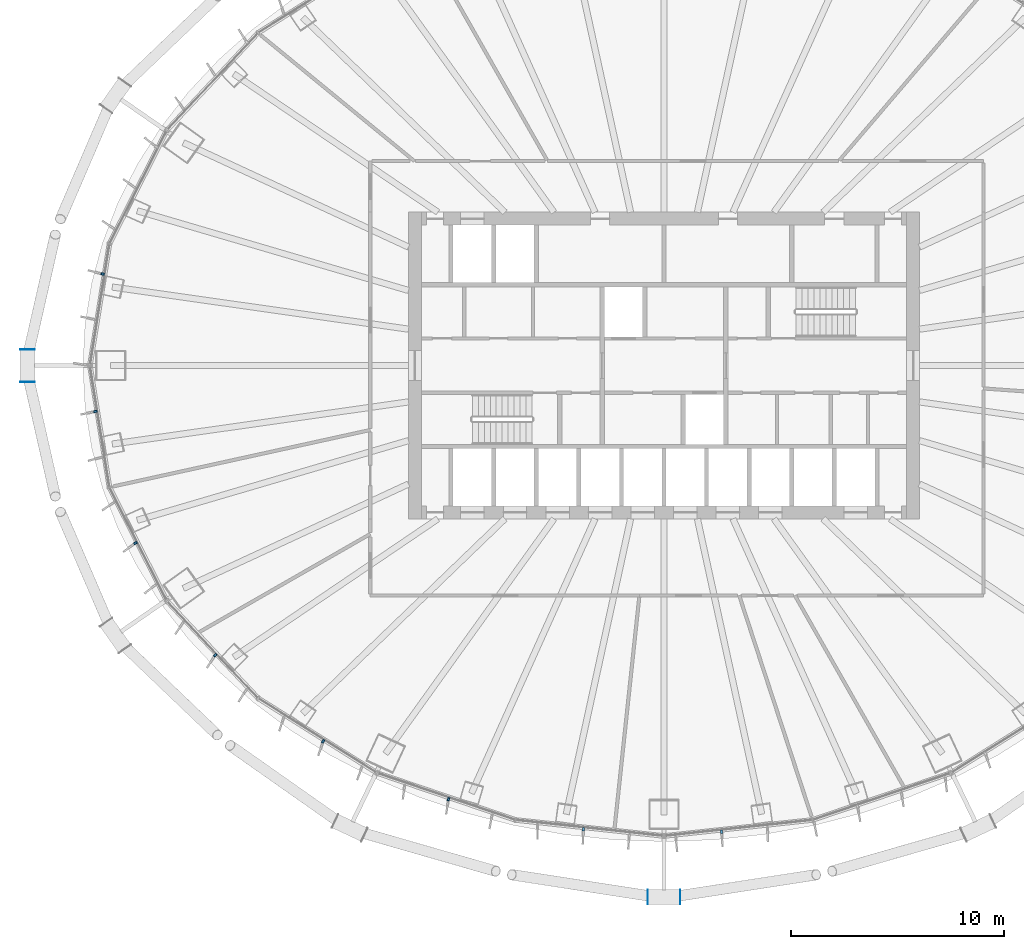
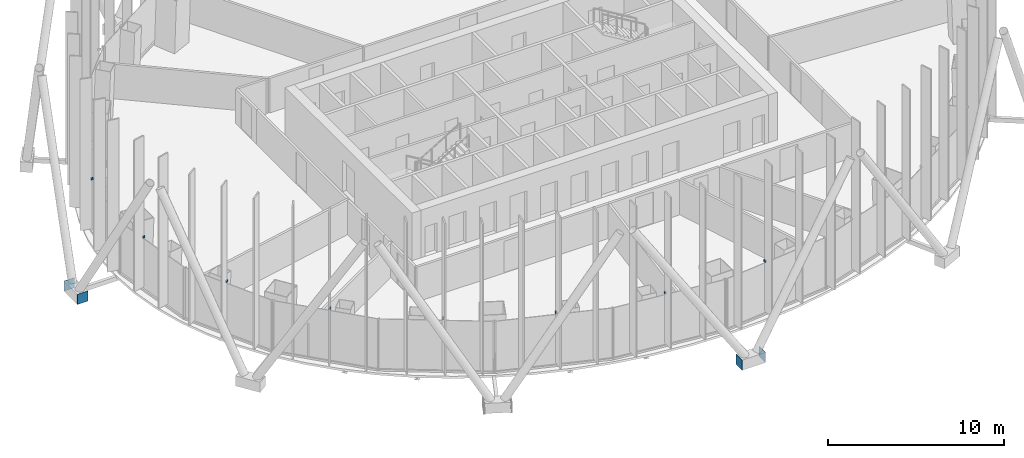
# One storey, part 14 of 21: 12 discrete accessories.
"""IFC4 building model written with IfcOpenShell, lengths in metres."""

from ifc_helpers import new_model, si_unit, direction, frame, origin, origin_2d, place, context, subcontext, project, spatial, rectangle, extrude, material, layer, layer_set, type_object, element, save


model = new_model("IFC4")

# Units and contexts
model_context = context("Model", 3, precision=1e-05, world=origin(), true_north=direction((0.0, 1.0)))
body_context = subcontext(model_context, "Body", "Model", "MODEL_VIEW")
ifc_project = project(units=[si_unit("LENGTHUNIT", "METRE"), si_unit("AREAUNIT", "SQUARE_METRE"), si_unit("VOLUMEUNIT", "CUBIC_METRE"), si_unit("PLANEANGLEUNIT", "RADIAN"), si_unit("MASSUNIT", "GRAM", prefix="KILO")], contexts=[model_context])

# Site, building, storey
site_placement = place(None, origin())
site = spatial("IfcSite", under=ifc_project, at=site_placement, CompositionType="ELEMENT")
building_placement = place(site_placement, origin())
building = spatial("IfcBuilding", under=site, at=building_placement, Name="Siaravel Broadcast Tower", CompositionType="ELEMENT")
storey_placement = place(building_placement, frame((0.0, 0.0, 70.39990234375)))
storey = spatial("IfcBuildingStorey", under=building, at=storey_placement, Name="L16", CompositionType="ELEMENT", Elevation=70.39990234375)

# Discrete accessories
ifc_material_1 = material(Name="Stainless steel 316", Category="steel")
discrete_accessory_type_1 = type_object("IfcDiscreteAccessoryType", Name="Stainless steel fin bracket", PredefinedType="USERDEFINED", material=ifc_material_1)
for number, where, z_axis, x_axis, name in (
    (1, (-26.36376953125, 4.299072265625, 3.68994140625), (0.0, 0.0, 1.0), (-0.987329198, 0.158685394, 0.0), "Fin bracket L16-34"),
    (2, (-26.7080078125, -2.15673828125, 3.68994140625), (0.0, 0.0, 1.0), (-0.987329198, -0.158685394, 0.0), "Fin bracket L16-37"),
    (3, (-24.822509765625, -8.336181640625, 3.68994140625), (0.0, 0.0, 1.0), (-0.892392151, -0.451260732, 0.0), "Fin bracket L16-40"),
    (4, (-21.0751953125, -13.610107421875, 3.68994140625), (0.0, 0.0, 1.0), (-0.729805608, -0.683654718, 0.0), "Fin bracket L16-43"),
    (5, (-16.01025390625, -17.65185546875, 3.68994140625), (0.0, 0.0, 1.0), (-0.532149452, -0.846650436, 0.0), "Fin bracket L16-46"),
    (6, (-10.12109375, -20.37109375, 3.68994140625), (0.0, 0.0, 1.0), (-0.321300635, -0.946977245, 0.0), "Fin bracket L16-49"),
    (7, (-3.78515625, -21.777587890625, 3.68994140625), (0.0, 0.0, 1.0), (-0.107218518, -0.99423548, 0.0), "Fin bracket L16-52"),
    (8, (2.706298828125, -21.89404296875, 3.68994140625), (0.0, 0.0, 1.0), (0.107218518, -0.99423548, 0.0), "Fin bracket L16-55"),
):
    element("IfcDiscreteAccessory", number, at=place(storey_placement, frame(where, z_axis=z_axis, x_axis=x_axis)), inside=storey, type_object=discrete_accessory_type_1, Name=name, ObjectType="BRACKET", PredefinedType="USERDEFINED", context=body_context, shape_type="SweptSolid", body=[
        extrude(rectangle(XDim=0.159912109375, YDim=0.10009765625, at=origin_2d()), origin(), (0.0, 0.0, 1.0), 0.139892578125),
    ])
ifc_material_2 = material(Name="Steel S355", Category="steel")
ifc_layer = layer(ifc_material_2, 0.02001953125)
ifc_layer_set = layer_set([ifc_layer], Name="Steel S355")
discrete_accessory_type_2 = type_object("IfcDiscreteAccessoryType", Name="Steel end plate 20 mm", PredefinedType="USERDEFINED", material=ifc_layer_set)
for number, where, z_axis, x_axis, name in (
    (9, (-29.897705078125, -0.763427734375, -0.5498046875), (0.0, 0.0, 1.0), (0.0, -1.0, 0.0), "End plate R07 station 36A"),
    (10, (-29.897705078125, 0.763427734375, -0.5498046875), (0.0, 0.0, 1.0), (0.0, -1.0, 0.0), "End plate R07 station 36B"),
    (11, (0.763427734375, -24.9599609375, -0.5498046875), (0.0, 0.0, 1.0), (1.0, 0.0, 0.0), "End plate R07 station 54A"),
    (12, (-0.763427734375, -24.9599609375, -0.5498046875), (0.0, 0.0, 1.0), (1.0, 0.0, 0.0), "End plate R07 station 54B"),
):
    element("IfcDiscreteAccessory", number, at=place(storey_placement, frame(where, z_axis=z_axis, x_axis=x_axis)), inside=storey, type_object=discrete_accessory_type_2, Name=name, ObjectType="END PLATE", PredefinedType="USERDEFINED", context=body_context, shape_type="SweptSolid", body=[
        extrude(rectangle(XDim=0.02001953125, YDim=0.699951171875, at=origin_2d()), origin(), (0.0, 0.0, 1.0), 0.699951171875),
    ])

save(model, "model.ifc")
